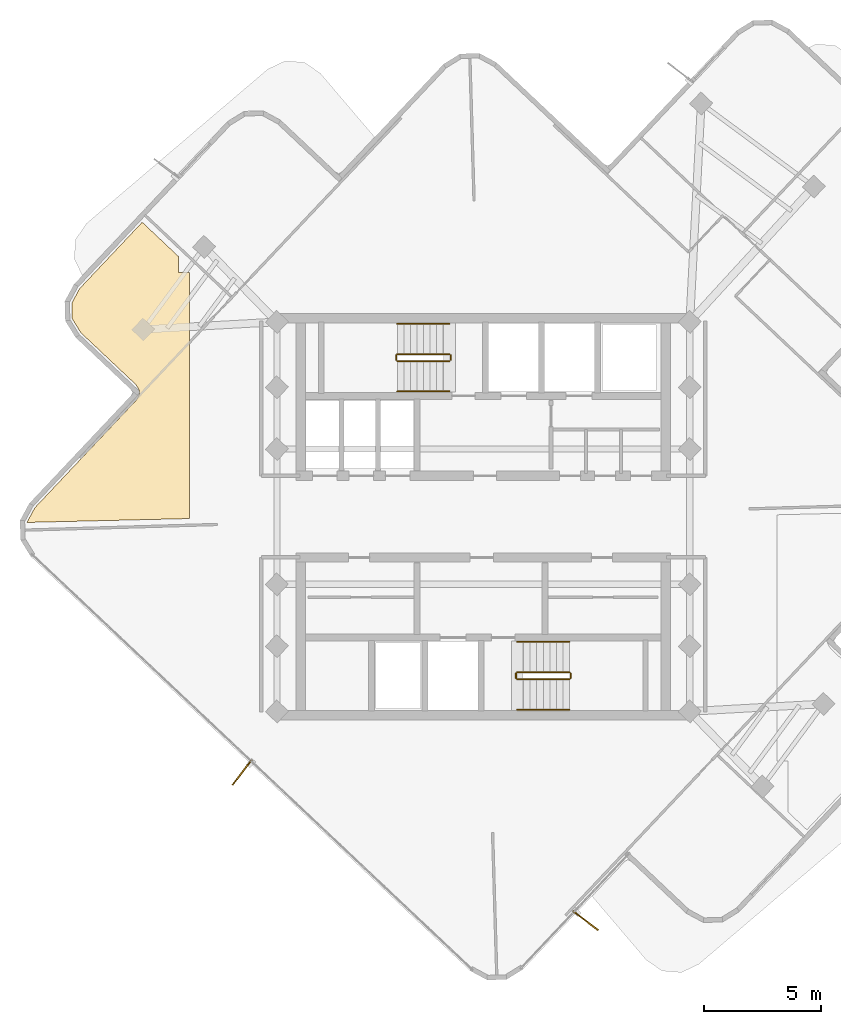
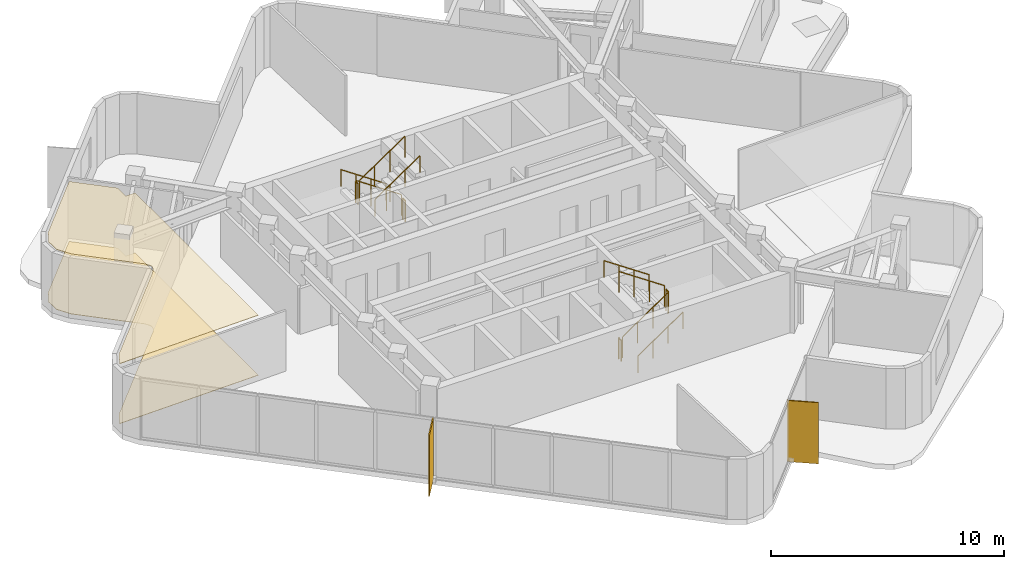
# One storey, part 9 of 10: 12 railings, 2 coverings, 2 shading devices.
"""IFC4 building model written with IfcOpenShell, lengths in metres."""

from ifc_helpers import new_model, si_unit, direction, frame, origin, origin_2d, place, context, subcontext, project, spatial, polyline, rectangle, circle, outline, extrude, material, layer, layer_set, type_object, element, save


model = new_model("IFC4")

# Units and contexts
model_context = context("Model", 3, precision=1e-05, world=origin(), true_north=direction((0.0, 1.0)))
body_context = subcontext(model_context, "Body", "Model", "MODEL_VIEW")
ifc_project = project(units=[si_unit("LENGTHUNIT", "METRE"), si_unit("AREAUNIT", "SQUARE_METRE"), si_unit("VOLUMEUNIT", "CUBIC_METRE"), si_unit("PLANEANGLEUNIT", "RADIAN"), si_unit("MASSUNIT", "GRAM", prefix="KILO")], contexts=[model_context])

# Site, building, storey
site_placement = place(None, origin())
site = spatial("IfcSite", under=ifc_project, at=site_placement, CompositionType="ELEMENT")
building_placement = place(site_placement, origin())
building = spatial("IfcBuilding", under=site, at=building_placement, Name="Solmarez Civic Tower", CompositionType="ELEMENT")
storey_placement = place(building_placement, frame((0.0, 0.0, 244.080078125)))
storey = spatial("IfcBuildingStorey", under=building, at=storey_placement, Name="L65", CompositionType="ELEMENT", Elevation=244.080078125)

# Coverings
ifc_material_1 = material(Name="Perforated Mineral-Fibre Acoustic Ceiling")
ifc_layer_1 = layer(ifc_material_1, 0.02490234375)
ifc_layer_set_1 = layer_set([ifc_layer_1], Name="Perforated Mineral-Fibre Acoustic Ceiling")
covering_type_1 = type_object("IfcCoveringType", Name="COV-CEIL-ACOUSTIC", PredefinedType="CEILING", material=ifc_layer_set_1)
covering_1_placement = place(storey_placement, frame((0.0, 0.0, 3.135009765625)))
element("IfcCovering", 1, at=covering_1_placement, inside=storey, type_object=covering_type_1, Name="L65 Suspended Acoustic Ceiling 1", PredefinedType="CEILING", context=body_context, shape_type="SweptSolid", body=[
    extrude(outline(polyline([(-14.875, 5.62890625), (-14.783935546875, 5.48193359375), (-14.77392578125, 5.464111328125), (-14.77099609375, 5.4580078125), (-14.76611328125, 5.447021484375), (-14.762939453125, 5.43994140625), (-14.759033203125, 5.429931640625), (-14.756103515625, 5.422119140625), (-14.7490234375, 5.39990234375), (-14.743896484375, 5.3759765625), (-14.742919921875, 5.364990234375), (-14.741943359375, 5.35888671875), (-14.740966796875, 5.35400390625), (-14.739013671875, 5.3349609375), (-14.739013671875, 5.31494140625), (-14.740966796875, 5.2958984375), (-14.741943359375, 5.283935546875), (-14.742919921875, 5.277099609375), (-14.748046875, 5.2548828125), (-14.75, 5.2470703125), (-14.7548828125, 5.22998046875), (-14.760986328125, 5.212890625), (-14.763916015625, 5.2060546875), (-14.76708984375, 5.198974609375), (-14.77587890625, 5.180908203125), (-14.85693359375, 5.031005859375), (-14.87109375, 5.007080078125), (-14.875, 5.0009765625), (-14.887939453125, 4.98388671875), (-14.905029296875, 4.965087890625), (-19.22509765625, 0.384033203125), (-19.56103515625, -0.239013671875), (-19.56103515625, -0.2470703125), (-12.60009765625, -0.0810546875), (-12.60009765625, 10.466064453125), (-13.071044921875, 10.466064453125), (-13.071044921875, 11.157958984375), (-14.625, 12.623046875), (-17.306884765625, 9.778076171875), (-17.64306640625, 9.154052734375), (-17.6240234375, 8.487060546875), (-17.251953125, 7.884033203125), (-14.924072265625, 5.68896484375), (-14.9189453125, 5.68505859375), (-14.9140625, 5.679931640625), (-14.89990234375, 5.6630859375), (-14.886962890625, 5.64599609375), (-14.875, 5.62890625)])), origin(), (0.0, 0.0, 1.0), 0.02490234375),
])
ifc_material_2 = material(Name="Polished Tropical Stone Terrazzo Flooring", Category="masonry")
ifc_layer_2 = layer(ifc_material_2, 0.02001953125)
ifc_layer_set_2 = layer_set([ifc_layer_2], Name="Polished Tropical Stone Terrazzo Flooring")
covering_type_2 = type_object("IfcCoveringType", Name="COV-FLOOR-TERRAZZO", PredefinedType="FLOORING", material=ifc_layer_set_2)
covering_2_placement = place(storey_placement, origin())
element("IfcCovering", 2, at=covering_2_placement, inside=storey, type_object=covering_type_2, Name="L65 Terrazzo Floor Finish 1", PredefinedType="FLOORING", context=body_context, shape_type="SweptSolid", body=[
    extrude(outline(polyline([(-14.875, 5.62890625), (-14.783935546875, 5.48193359375), (-14.77392578125, 5.464111328125), (-14.77099609375, 5.4580078125), (-14.76611328125, 5.447021484375), (-14.762939453125, 5.43994140625), (-14.759033203125, 5.429931640625), (-14.756103515625, 5.422119140625), (-14.7490234375, 5.39990234375), (-14.743896484375, 5.3759765625), (-14.742919921875, 5.364990234375), (-14.741943359375, 5.35888671875), (-14.740966796875, 5.35400390625), (-14.739013671875, 5.3349609375), (-14.739013671875, 5.31494140625), (-14.740966796875, 5.2958984375), (-14.741943359375, 5.283935546875), (-14.742919921875, 5.277099609375), (-14.748046875, 5.2548828125), (-14.75, 5.2470703125), (-14.7548828125, 5.22998046875), (-14.760986328125, 5.212890625), (-14.763916015625, 5.2060546875), (-14.76708984375, 5.198974609375), (-14.77587890625, 5.180908203125), (-14.85693359375, 5.031005859375), (-14.87109375, 5.007080078125), (-14.875, 5.0009765625), (-14.887939453125, 4.98388671875), (-14.905029296875, 4.965087890625), (-19.22509765625, 0.384033203125), (-19.56103515625, -0.239013671875), (-19.56103515625, -0.2470703125), (-12.60009765625, -0.0810546875), (-12.60009765625, 10.466064453125), (-13.071044921875, 10.466064453125), (-13.071044921875, 11.157958984375), (-14.625, 12.623046875), (-17.306884765625, 9.778076171875), (-17.64306640625, 9.154052734375), (-17.6240234375, 8.487060546875), (-17.251953125, 7.884033203125), (-14.924072265625, 5.68896484375), (-14.9189453125, 5.68505859375), (-14.9140625, 5.679931640625), (-14.89990234375, 5.6630859375), (-14.886962890625, 5.64599609375), (-14.875, 5.62890625)])), origin(), (0.0, 0.0, 1.0), 0.02001953125),
])

# Shading devices
ifc_material_3 = material(Name="Bronze Anodised Aluminium EN AW-6063 T6", Category="aluminium")
ifc_layer_3 = layer(ifc_material_3, 0.054931640625)
ifc_layer_set_3 = layer_set([ifc_layer_3], Name="Bronze Anodised Aluminium EN AW-6063 T6")
shading_device_type = type_object("IfcShadingDeviceType", Name="FIN-BRONZE-Z56", PredefinedType="USERDEFINED", material=ifc_layer_set_3)
for number, where, z_axis, x_axis, name in (
    (3, (4.387939453125, -17.320068359375, -0.0400390625), (0.0, 0.0, 1.0), (0.794647777548, -0.60707076164, 0.0), "L65 Anodised Bronze Solar Fin FIN-L65-01"),
    (4, (-10.343017578125, -10.967041015625, -0.0400390625), (0.0, 0.0, 1.0), (-0.607056892327, -0.79465837281, 0.0), "L65 Anodised Bronze Solar Fin FIN-L65-02"),
):
    element("IfcShadingDevice", number, at=place(storey_placement, frame(where, z_axis=z_axis, x_axis=x_axis)), inside=storey, type_object=shading_device_type, Name=name, ObjectType="FIN", PredefinedType="USERDEFINED", context=body_context, shape_type="SweptSolid", body=[
        extrude(rectangle(XDim=1.35009765625, YDim=0.054931640625, at=origin_2d()), origin(), (0.0, 0.0, 1.0), 3.199951171875),
    ])

# Railings
ifc_material_4 = material(Name="Painted Steel Stairwell Safety Guard", Category="steel")
railing_type_1 = type_object("IfcRailingType", Name="GUARD-STAIR-1120", PredefinedType="BALUSTRADE", material=ifc_material_4)
railing_1_placement = place(storey_placement, frame((-1.449951171875, 6.969970703125, 0.18994140625)))
element("IfcRailing", 5, at=railing_1_placement, inside=storey, type_object=railing_type_1, Name="L65 ST-1 stair guard 1", PredefinedType="BALUSTRADE", context=body_context, shape_type="SweptSolid", body=[
    extrude(circle(Radius=0.02392578125, at=origin_2d()), frame((0.0, 0.0, 1.09619140625), z_axis=(-0.827471284677, 0.0, 0.561508034703), x_axis=(0.0, -1.0, 0.0)), (0.0, 0.0, 1.0), 2.70703125),
    extrude(circle(Radius=0.02099609375, at=origin_2d()), origin(), (0.0, 0.0, 1.0), 1.072021484375),
    extrude(circle(Radius=0.02099609375, at=origin_2d()), frame((-0.74658203125, 0.0, 0.506591796875)), (0.0, 0.0, 1.0), 1.072021484375),
    extrude(circle(Radius=0.02099609375, at=origin_2d()), frame((-1.493408203125, 0.0, 1.013427734375)), (0.0, 0.0, 1.0), 1.072021484375),
    extrude(circle(Radius=0.02099609375, at=origin_2d()), frame((-2.239990234375, 0.0, 1.52001953125)), (0.0, 0.0, 1.0), 1.072021484375),
])
railing_2_placement = place(storey_placement, frame((-3.739990234375, 6.919921875, 1.7099609375)))
element("IfcRailing", 6, at=railing_2_placement, inside=storey, type_object=railing_type_1, Name="L65 ST-1 stair guard 2", PredefinedType="BALUSTRADE", context=body_context, shape_type="SweptSolid", body=[
    extrude(circle(Radius=0.02392578125, at=origin_2d()), frame((0.0, 0.0, 1.09619140625), z_axis=(0.0, -1.0, 0.0), x_axis=(1.0, 0.0, 0.0)), (0.0, 0.0, 1.0), 0.199951171875),
    extrude(circle(Radius=0.02099609375, at=origin_2d()), origin(), (0.0, 0.0, 1.0), 1.072021484375),
    extrude(circle(Radius=0.02099609375, at=origin_2d()), frame((0.0, -0.199951171875, 0.0)), (0.0, 0.0, 1.0), 1.072021484375),
])
railing_3_placement = place(storey_placement, frame((-3.68994140625, 6.669921875, 1.89990234375)))
element("IfcRailing", 7, at=railing_3_placement, inside=storey, type_object=railing_type_1, Name="L65 ST-1 stair guard 3", PredefinedType="BALUSTRADE", context=body_context, shape_type="SweptSolid", body=[
    extrude(circle(Radius=0.02392578125, at=origin_2d()), frame((0.0, 0.0, 1.09619140625), z_axis=(0.827471284677, 0.0, 0.561508034703), x_axis=(0.0, 1.0, 0.0)), (0.0, 0.0, 1.0), 2.70703125),
    extrude(circle(Radius=0.02099609375, at=origin_2d()), origin(), (0.0, 0.0, 1.0), 1.072021484375),
    extrude(circle(Radius=0.02099609375, at=origin_2d()), frame((0.74658203125, 0.0, 0.506591796875)), (0.0, 0.0, 1.0), 1.072021484375),
    extrude(circle(Radius=0.02099609375, at=origin_2d()), frame((1.493408203125, 0.0, 1.013427734375)), (0.0, 0.0, 1.0), 1.072021484375),
    extrude(circle(Radius=0.02099609375, at=origin_2d()), frame((2.239990234375, 0.0, 1.52001953125)), (0.0, 0.0, 1.0), 1.072021484375),
])
railing_4_placement = place(storey_placement, frame((-1.39990234375, 6.919921875, 0.0)))
element("IfcRailing", 8, at=railing_4_placement, inside=storey, type_object=railing_type_1, Name="L65 ST-1 stair guard 4", PredefinedType="BALUSTRADE", context=body_context, shape_type="SweptSolid", body=[
    extrude(circle(Radius=0.02392578125, at=origin_2d()), frame((0.0, 0.0, 1.09619140625), z_axis=(0.0, -1.0, 0.0), x_axis=(1.0, 0.0, 0.0)), (0.0, 0.0, 1.0), 0.199951171875),
    extrude(circle(Radius=0.02099609375, at=origin_2d()), origin(), (0.0, 0.0, 1.0), 1.072021484375),
    extrude(circle(Radius=0.02099609375, at=origin_2d()), frame((0.0, -0.199951171875, 0.0)), (0.0, 0.0, 1.0), 1.072021484375),
])
railing_5_placement = place(storey_placement, frame((1.449951171875, -6.969970703125, 0.18994140625)))
element("IfcRailing", 9, at=railing_5_placement, inside=storey, type_object=railing_type_1, Name="L65 ST-2 stair guard 1", PredefinedType="BALUSTRADE", context=body_context, shape_type="SweptSolid", body=[
    extrude(circle(Radius=0.02392578125, at=origin_2d()), frame((0.0, 0.0, 1.09619140625), z_axis=(0.827471284677, 0.0, 0.561508034703), x_axis=(0.0, 1.0, 0.0)), (0.0, 0.0, 1.0), 2.70703125),
    extrude(circle(Radius=0.02099609375, at=origin_2d()), origin(), (0.0, 0.0, 1.0), 1.072021484375),
    extrude(circle(Radius=0.02099609375, at=origin_2d()), frame((0.74658203125, 0.0, 0.506591796875)), (0.0, 0.0, 1.0), 1.072021484375),
    extrude(circle(Radius=0.02099609375, at=origin_2d()), frame((1.493408203125, 0.0, 1.013427734375)), (0.0, 0.0, 1.0), 1.072021484375),
    extrude(circle(Radius=0.02099609375, at=origin_2d()), frame((2.239990234375, 0.0, 1.52001953125)), (0.0, 0.0, 1.0), 1.072021484375),
])
railing_6_placement = place(storey_placement, frame((3.739990234375, -6.919921875, 1.7099609375)))
element("IfcRailing", 10, at=railing_6_placement, inside=storey, type_object=railing_type_1, Name="L65 ST-2 stair guard 2", PredefinedType="BALUSTRADE", context=body_context, shape_type="SweptSolid", body=[
    extrude(circle(Radius=0.02392578125, at=origin_2d()), frame((0.0, 0.0, 1.09619140625), z_axis=(0.0, 1.0, 0.0), x_axis=(-1.0, 0.0, 0.0)), (0.0, 0.0, 1.0), 0.199951171875),
    extrude(circle(Radius=0.02099609375, at=origin_2d()), origin(), (0.0, 0.0, 1.0), 1.072021484375),
    extrude(circle(Radius=0.02099609375, at=origin_2d()), frame((0.0, 0.199951171875, 0.0)), (0.0, 0.0, 1.0), 1.072021484375),
])
railing_7_placement = place(storey_placement, frame((3.68994140625, -6.669921875, 1.89990234375)))
element("IfcRailing", 11, at=railing_7_placement, inside=storey, type_object=railing_type_1, Name="L65 ST-2 stair guard 3", PredefinedType="BALUSTRADE", context=body_context, shape_type="SweptSolid", body=[
    extrude(circle(Radius=0.02392578125, at=origin_2d()), frame((0.0, 0.0, 1.09619140625), z_axis=(-0.827471284677, 0.0, 0.561508034703), x_axis=(0.0, -1.0, 0.0)), (0.0, 0.0, 1.0), 2.70703125),
    extrude(circle(Radius=0.02099609375, at=origin_2d()), origin(), (0.0, 0.0, 1.0), 1.072021484375),
    extrude(circle(Radius=0.02099609375, at=origin_2d()), frame((-0.74658203125, 0.0, 0.506591796875)), (0.0, 0.0, 1.0), 1.072021484375),
    extrude(circle(Radius=0.02099609375, at=origin_2d()), frame((-1.493408203125, 0.0, 1.013427734375)), (0.0, 0.0, 1.0), 1.072021484375),
    extrude(circle(Radius=0.02099609375, at=origin_2d()), frame((-2.239990234375, 0.0, 1.52001953125)), (0.0, 0.0, 1.0), 1.072021484375),
])
railing_8_placement = place(storey_placement, frame((1.39990234375, -6.919921875, 0.0)))
element("IfcRailing", 12, at=railing_8_placement, inside=storey, type_object=railing_type_1, Name="L65 ST-2 stair guard 4", PredefinedType="BALUSTRADE", context=body_context, shape_type="SweptSolid", body=[
    extrude(circle(Radius=0.02392578125, at=origin_2d()), frame((0.0, 0.0, 1.09619140625), z_axis=(0.0, 1.0, 0.0), x_axis=(-1.0, 0.0, 0.0)), (0.0, 0.0, 1.0), 0.199951171875),
    extrude(circle(Radius=0.02099609375, at=origin_2d()), origin(), (0.0, 0.0, 1.0), 1.072021484375),
    extrude(circle(Radius=0.02099609375, at=origin_2d()), frame((0.0, 0.199951171875, 0.0)), (0.0, 0.0, 1.0), 1.072021484375),
])
ifc_material_5 = material(Name="Brushed Stainless Steel Tube Handrail", Category="steel")
railing_type_2 = type_object("IfcRailingType", Name="HANDRAIL-STAIR-900", PredefinedType="HANDRAIL", material=ifc_material_5)
railing_9_placement = place(storey_placement, frame((-1.449951171875, 8.27001953125, 0.18994140625)))
element("IfcRailing", 13, at=railing_9_placement, inside=storey, type_object=railing_type_2, Name="L65 ST-1 stair handrail 1", PredefinedType="HANDRAIL", context=body_context, shape_type="SweptSolid", body=[
    extrude(circle(Radius=0.02392578125, at=origin_2d()), frame((0.0, 0.0, 0.8759765625), z_axis=(-0.827471284677, 0.0, 0.561508034703), x_axis=(0.0, -1.0, 0.0)), (0.0, 0.0, 1.0), 2.70703125),
    extrude(circle(Radius=0.02099609375, at=origin_2d()), origin(), (0.0, 0.0, 1.0), 0.851806640625),
    extrude(circle(Radius=0.02099609375, at=origin_2d()), frame((-0.74658203125, 0.0, 0.506591796875)), (0.0, 0.0, 1.0), 0.851806640625),
    extrude(circle(Radius=0.02099609375, at=origin_2d()), frame((-1.493408203125, 0.0, 1.013427734375)), (0.0, 0.0, 1.0), 0.851806640625),
    extrude(circle(Radius=0.02099609375, at=origin_2d()), frame((-2.239990234375, 0.0, 1.52001953125)), (0.0, 0.0, 1.0), 0.851806640625),
])
for number, where, name in (
    (14, (-3.68994140625, 5.3701171875, 1.89990234375), "L65 ST-1 stair handrail 2"),
    (15, (1.449951171875, -8.27001953125, 0.18994140625), "L65 ST-2 stair handrail 1"),
):
    element("IfcRailing", number, at=place(storey_placement, frame(where)), inside=storey, type_object=railing_type_2, Name=name, PredefinedType="HANDRAIL", context=body_context, shape_type="SweptSolid", body=[
        extrude(circle(Radius=0.02392578125, at=origin_2d()), frame((0.0, 0.0, 0.8759765625), z_axis=(0.827471284677, 0.0, 0.561508034703), x_axis=(0.0, 1.0, 0.0)), (0.0, 0.0, 1.0), 2.70703125),
        extrude(circle(Radius=0.02099609375, at=origin_2d()), origin(), (0.0, 0.0, 1.0), 0.851806640625),
        extrude(circle(Radius=0.02099609375, at=origin_2d()), frame((0.74658203125, 0.0, 0.506591796875)), (0.0, 0.0, 1.0), 0.851806640625),
        extrude(circle(Radius=0.02099609375, at=origin_2d()), frame((1.493408203125, 0.0, 1.013427734375)), (0.0, 0.0, 1.0), 0.851806640625),
        extrude(circle(Radius=0.02099609375, at=origin_2d()), frame((2.239990234375, 0.0, 1.52001953125)), (0.0, 0.0, 1.0), 0.851806640625),
    ])
railing_10_placement = place(storey_placement, frame((3.68994140625, -5.3701171875, 1.89990234375)))
element("IfcRailing", 16, at=railing_10_placement, inside=storey, type_object=railing_type_2, Name="L65 ST-2 stair handrail 2", PredefinedType="HANDRAIL", context=body_context, shape_type="SweptSolid", body=[
    extrude(circle(Radius=0.02392578125, at=origin_2d()), frame((0.0, 0.0, 0.8759765625), z_axis=(-0.827471284677, 0.0, 0.561508034703), x_axis=(0.0, -1.0, 0.0)), (0.0, 0.0, 1.0), 2.70703125),
    extrude(circle(Radius=0.02099609375, at=origin_2d()), origin(), (0.0, 0.0, 1.0), 0.851806640625),
    extrude(circle(Radius=0.02099609375, at=origin_2d()), frame((-0.74658203125, 0.0, 0.506591796875)), (0.0, 0.0, 1.0), 0.851806640625),
    extrude(circle(Radius=0.02099609375, at=origin_2d()), frame((-1.493408203125, 0.0, 1.013427734375)), (0.0, 0.0, 1.0), 0.851806640625),
    extrude(circle(Radius=0.02099609375, at=origin_2d()), frame((-2.239990234375, 0.0, 1.52001953125)), (0.0, 0.0, 1.0), 0.851806640625),
])

save(model, "model.ifc")
